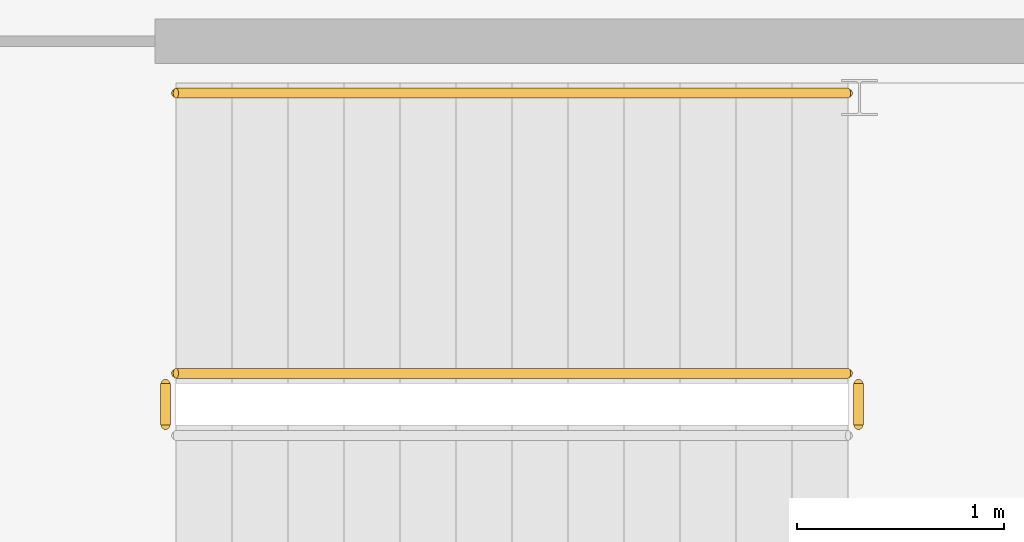
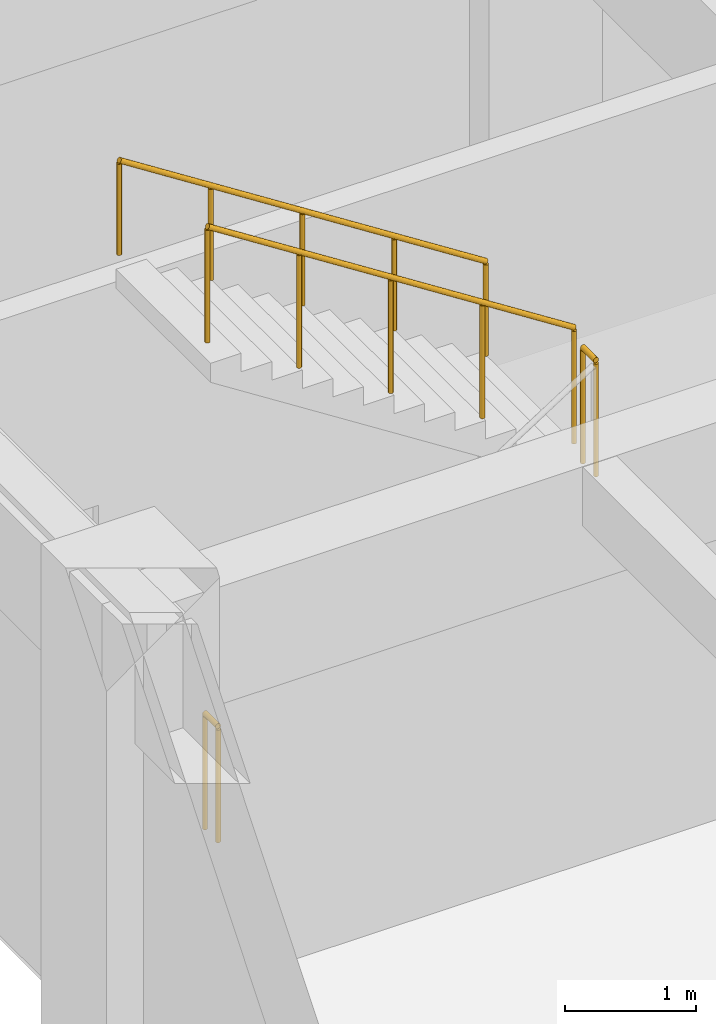
# One storey, part 15 of 16: 4 railings.
"""IFC4 building model written with IfcOpenShell, lengths in metres."""

from ifc_helpers import new_model, si_unit, direction, frame, origin, origin_2d, place, context, subcontext, project, spatial, circle, extrude, material, type_object, element, save


model = new_model("IFC4")

# Units and contexts
model_context = context("Model", 3, precision=1e-05, world=origin(), true_north=direction((0.0, 1.0)))
body_context = subcontext(model_context, "Body", "Model", "MODEL_VIEW")
ifc_project = project(units=[si_unit("LENGTHUNIT", "METRE"), si_unit("AREAUNIT", "SQUARE_METRE"), si_unit("VOLUMEUNIT", "CUBIC_METRE"), si_unit("PLANEANGLEUNIT", "RADIAN"), si_unit("MASSUNIT", "GRAM", prefix="KILO")], contexts=[model_context])

# Site, building, storey
site_placement = place(None, origin())
site = spatial("IfcSite", under=ifc_project, at=site_placement, CompositionType="ELEMENT")
building_placement = place(site_placement, origin())
building = spatial("IfcBuilding", under=site, at=building_placement, Name="Canggui Botanical Conservatory", CompositionType="ELEMENT")
storey_placement = place(building_placement, frame((0.0, 0.0, -4.5)))
storey = spatial("IfcBuildingStorey", under=building, at=storey_placement, Name="B1", CompositionType="ELEMENT", Elevation=-4.5)

# Railings
ifc_material = material(Name="Stainless Steel 304", Category="steel")
railing_type_1 = type_object("IfcRailingType", Name="RAIL-GUARD-1100", PredefinedType="BALUSTRADE", material=ifc_material)
railing_1_placement = place(storey_placement, frame((127.239990234375, 99.949951171875, 2.25)))
element("IfcRailing", 1, at=railing_1_placement, inside=storey, type_object=railing_type_1, Name="B1 ST-G2 stair guard 2", PredefinedType="BALUSTRADE", context=body_context, shape_type="SweptSolid", body=[
    extrude(circle(Radius=0.02392578125, at=origin_2d()), frame((0.0, 0.0, 1.076171875), z_axis=(0.0, 1.0, 0.0), x_axis=(-1.0, 0.0, 0.0)), (0.0, 0.0, 1.0), 0.199951171875),
    extrude(circle(Radius=0.02099609375, at=origin_2d()), origin(), (0.0, 0.0, 1.0), 1.052001953125),
    extrude(circle(Radius=0.02099609375, at=origin_2d()), frame((0.0, 0.199951171875, 0.0)), (0.0, 0.0, 1.0), 1.052001953125),
])
railing_2_placement = place(storey_placement, frame((127.18994140625, 100.199951171875, 2.423095703125)))
element("IfcRailing", 2, at=railing_2_placement, inside=storey, type_object=railing_type_1, Name="B1 ST-G2 stair guard 3", PredefinedType="BALUSTRADE", context=body_context, shape_type="SweptSolid", body=[
    extrude(circle(Radius=0.02392578125, at=origin_2d()), frame((0.0, 0.0, 1.076171875), z_axis=(-0.841880617004, 0.0, 0.539663808971), x_axis=(0.0, -1.0, 0.0)), (0.0, 0.0, 1.0), 3.8486328125),
    extrude(circle(Radius=0.02099609375, at=origin_2d()), origin(), (0.0, 0.0, 1.0), 1.052001953125),
    extrude(circle(Radius=0.02099609375, at=origin_2d()), frame((-0.81005859375, 0.0, 0.519287109375)), (0.0, 0.0, 1.0), 1.052001953125),
    extrude(circle(Radius=0.02099609375, at=origin_2d()), frame((-1.6201171875, 0.0, 1.03857421875)), (0.0, 0.0, 1.0), 1.052001953125),
    extrude(circle(Radius=0.02099609375, at=origin_2d()), frame((-2.429931640625, 0.0, 1.5576171875)), (0.0, 0.0, 1.0), 1.052001953125),
    extrude(circle(Radius=0.02099609375, at=origin_2d()), frame((-3.239990234375, 0.0, 2.076904296875)), (0.0, 0.0, 1.0), 1.052001953125),
])
railing_3_placement = place(storey_placement, frame((123.89990234375, 99.949951171875, 0.0)))
element("IfcRailing", 3, at=railing_3_placement, inside=storey, type_object=railing_type_1, Name="B1 ST-G2 stair guard 4", PredefinedType="BALUSTRADE", context=body_context, shape_type="SweptSolid", body=[
    extrude(circle(Radius=0.02392578125, at=origin_2d()), frame((0.0, 0.0, 1.076171875), z_axis=(0.0, 1.0, 0.0), x_axis=(-1.0, 0.0, 0.0)), (0.0, 0.0, 1.0), 0.199951171875),
    extrude(circle(Radius=0.02099609375, at=origin_2d()), origin(), (0.0, 0.0, 1.0), 1.052001953125),
    extrude(circle(Radius=0.02099609375, at=origin_2d()), frame((0.0, 0.199951171875, 0.0)), (0.0, 0.0, 1.0), 1.052001953125),
])
railing_type_2 = type_object("IfcRailingType", Name="RAIL-HAND-900", PredefinedType="HANDRAIL", material=ifc_material)
railing_4_placement = place(storey_placement, frame((127.18994140625, 101.550048828125, 2.423095703125)))
element("IfcRailing", 4, at=railing_4_placement, inside=storey, type_object=railing_type_2, Name="B1 ST-G2 stair handrail 2", PredefinedType="HANDRAIL", context=body_context, shape_type="SweptSolid", body=[
    extrude(circle(Radius=0.02392578125, at=origin_2d()), frame((0.0, 0.0, 0.8759765625), z_axis=(-0.841880617004, 0.0, 0.539663808971), x_axis=(0.0, -1.0, 0.0)), (0.0, 0.0, 1.0), 3.8486328125),
    extrude(circle(Radius=0.02099609375, at=origin_2d()), origin(), (0.0, 0.0, 1.0), 0.851806640625),
    extrude(circle(Radius=0.02099609375, at=origin_2d()), frame((-0.81005859375, 0.0, 0.519287109375)), (0.0, 0.0, 1.0), 0.851806640625),
    extrude(circle(Radius=0.02099609375, at=origin_2d()), frame((-1.6201171875, 0.0, 1.03857421875)), (0.0, 0.0, 1.0), 0.851806640625),
    extrude(circle(Radius=0.02099609375, at=origin_2d()), frame((-2.429931640625, 0.0, 1.5576171875)), (0.0, 0.0, 1.0), 0.851806640625),
    extrude(circle(Radius=0.02099609375, at=origin_2d()), frame((-3.239990234375, 0.0, 2.076904296875)), (0.0, 0.0, 1.0), 0.851806640625),
])

save(model, "model.ifc")
